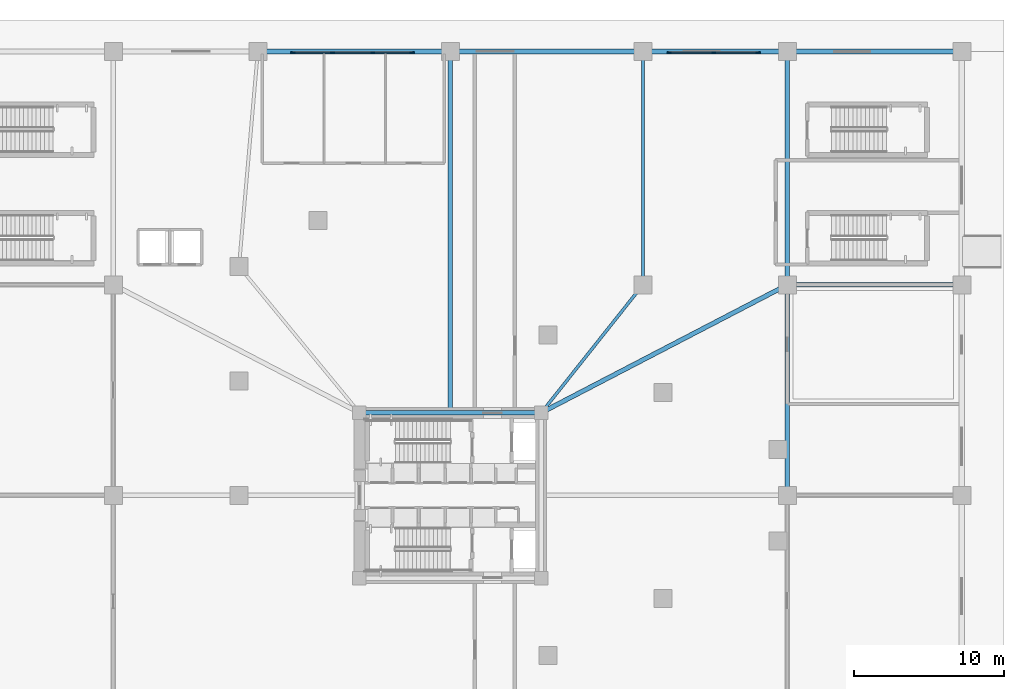
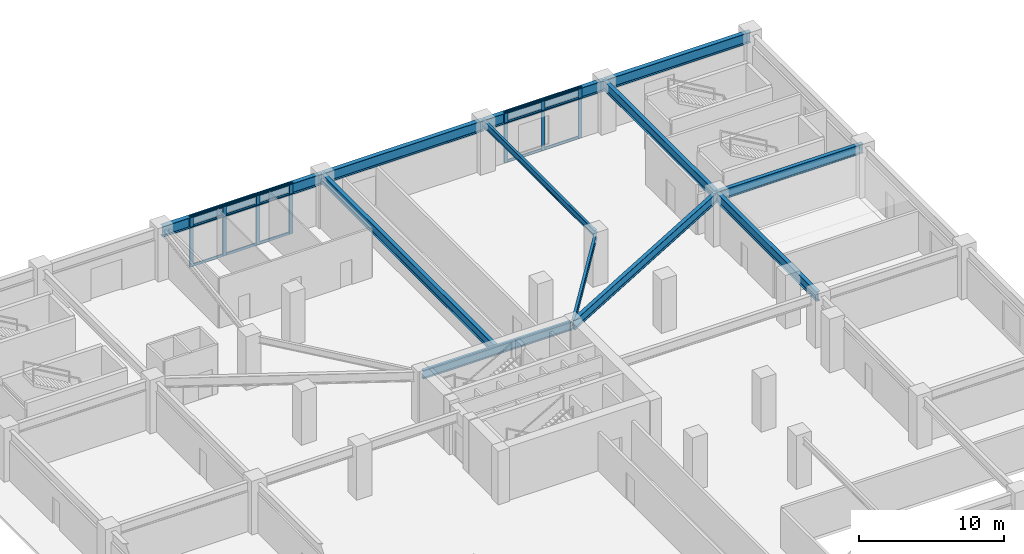
# One storey, part 2 of 18: 22 members, 12 beams, 2 elements without a shape of their own.
"""IFC4 building model written with IfcOpenShell, lengths in metres."""

import ifcopenshell
import ifcopenshell.guid

model = None  # the IFC model being written
_history = None  # IfcOwnerHistory: only IFC2X3 demands one
_inside = {}  # id of a spatial element -> (the spatial element, [elements in it])
_under = {}  # id of a project, library or spatial element -> (it, [spatial elements below it])
_declared = {}  # id of a project -> (the project, [libraries it declares])
_typed = {}  # id of a type object -> (the type object, [elements of that type])
_made_of = {}  # id of a material, layer set ... -> (it, [elements and type objects made of it])


def new_model(schema):
    """Start an empty IFC model of exactly this schema.

    Asked for "IFC4X3", IfcOpenShell would pick the latest addendum, in which some entities
    have other attributes; the version numbers below select the first issue.
    IFC2X3 requires an IfcOwnerHistory on every rooted entity: one is made here for all.
    """
    global model, _history
    if schema == "IFC4X3":
        model = ifcopenshell.file(schema_version=(4, 3, 0, 0))
    else:
        model = ifcopenshell.file(schema=schema)
    _inside.clear()
    _under.clear()
    _declared.clear()
    _typed.clear()
    _made_of.clear()
    _history = None
    if model.schema == "IFC2X3":
        org = make("IfcOrganization", Name="unknown")
        user = make(
            "IfcPersonAndOrganization",
            ThePerson=make("IfcPerson", FamilyName="unknown"),
            TheOrganization=org,
        )
        app = make(
            "IfcApplication",
            ApplicationDeveloper=org,
            Version="unknown",
            ApplicationFullName="unknown",
            ApplicationIdentifier="unknown",
        )
        _history = make(
            "IfcOwnerHistory",
            OwningUser=user,
            OwningApplication=app,
            ChangeAction="ADDED",
            CreationDate=0,
        )
    return model


def make(cls, **values):
    """One entity of the class cls with the attributes given. An attribute that is None is left unset."""
    return model.create_entity(
        cls, **{name: value for name, value in values.items() if value is not None}
    )


def rooted(cls, **values):
    """An entity with a GlobalId (a new one), such as an element, a storey or a relation."""
    return make(cls, GlobalId=ifcopenshell.guid.new(), OwnerHistory=_history, **values)


def si_unit(unit_type, name, prefix=None):
    """IfcSIUnit, for example si_unit("LENGTHUNIT", "METRE", prefix="MILLI")."""
    return make("IfcSIUnit", UnitType=unit_type, Prefix=prefix, Name=name)


def assignment(units):
    """IfcUnitAssignment: the units of a project."""
    return None if units is None else make("IfcUnitAssignment", Units=units)


def point(xyz):
    """IfcCartesianPoint."""
    return None if xyz is None else make("IfcCartesianPoint", Coordinates=xyz)


def direction(xyz):
    """IfcDirection."""
    return None if xyz is None else make("IfcDirection", DirectionRatios=xyz)


def frame(location, z_axis=None, x_axis=None):
    """IfcAxis2Placement3D, a coordinate frame: its origin and axes. An axis left out is left unset."""
    return make(
        "IfcAxis2Placement3D",
        Location=point(location),
        Axis=direction(z_axis),
        RefDirection=direction(x_axis),
    )


def frame_2d(location, x_axis=None):
    """IfcAxis2Placement2D, a coordinate frame in the plane: its origin and x axis."""
    return make(
        "IfcAxis2Placement2D", Location=point(location), RefDirection=direction(x_axis)
    )


def origin():
    """The frame at (0, 0, 0) with its axes left unset."""
    return frame((0.0, 0.0, 0.0))


def origin_2d():
    """The frame at (0, 0) in the plane with its x axis left unset."""
    return frame_2d((0.0, 0.0))


def place(relative_to, where):
    """IfcLocalPlacement: puts the frame where relative to a parent placement (None: the world)."""
    return make(
        "IfcLocalPlacement", PlacementRelTo=relative_to, RelativePlacement=where
    )


def context(
    kind, dimensions, precision=None, world=None, true_north=None, identifier=None
):
    """IfcGeometricRepresentationContext, for example the 3D "Model" context."""
    return make(
        "IfcGeometricRepresentationContext",
        ContextIdentifier=identifier,
        ContextType=kind,
        CoordinateSpaceDimension=dimensions,
        Precision=precision,
        WorldCoordinateSystem=world,
        TrueNorth=true_north,
    )


def subcontext(parent, identifier, kind, view, scale=None):
    """IfcGeometricRepresentationSubContext, for example "Body" below "Model"."""
    return make(
        "IfcGeometricRepresentationSubContext",
        ContextIdentifier=identifier,
        ContextType=kind,
        ParentContext=parent,
        TargetScale=scale,
        TargetView=view,
    )


def project(units=None, contexts=None):
    """IfcProject with its units and contexts."""
    return rooted(
        "IfcProject",
        Name="project",
        RepresentationContexts=contexts,
        UnitsInContext=assignment(units),
    )


def spatial(cls, under=None, at=None, **own):
    """A site, building, storey or space (cls), placed at a placement, below another one or the project."""
    s = rooted(cls, ObjectPlacement=at, **own)
    if under is not None:
        _under.setdefault(under.id(), (under, []))[1].append(s)
    return s


def profile(cls, at=None, kind="AREA", **sizes):
    """A parametric profile (cls). Its sizes go by their IFC names, for example OverallWidth=200.0."""
    return make(cls, ProfileType=kind, Position=at, **sizes)


def rectangle(**sizes):
    """IfcRectangleProfileDef."""
    return profile("IfcRectangleProfileDef", **sizes)


def i_section(**sizes):
    """IfcIShapeProfileDef."""
    return profile("IfcIShapeProfileDef", **sizes)


def extrude(swept, where, along, depth):
    """IfcExtrudedAreaSolid: the profile swept, set in the frame where, extruded along a direction by depth."""
    return make(
        "IfcExtrudedAreaSolid",
        SweptArea=swept,
        Position=where,
        ExtrudedDirection=direction(along),
        Depth=depth,
    )


def shape(context_of_items, identifier, shape_type, items):
    """IfcShapeRepresentation: the items that make up one representation, for example the "Body"."""
    return make(
        "IfcShapeRepresentation",
        ContextOfItems=context_of_items,
        RepresentationIdentifier=identifier,
        RepresentationType=shape_type,
        Items=items,
    )


def source(mapping_origin, context_of_items, identifier, shape_type, items):
    """IfcRepresentationMap: a shape defined once, which mapped items show again and again."""
    return make(
        "IfcRepresentationMap",
        MappingOrigin=mapping_origin,
        MappedRepresentation=shape(context_of_items, identifier, shape_type, items),
    )


def transform(
    local_origin,
    x_axis=None,
    y_axis=None,
    z_axis=None,
    scale=None,
    scale2=None,
    scale3=None,
    uniform=True,
):
    """IfcCartesianTransformationOperator3D, or its non-uniform kind. x_axis, y_axis, z_axis: its Axis1, 2, 3."""
    if uniform:
        return make(
            "IfcCartesianTransformationOperator3D",
            Axis1=direction(x_axis),
            Axis2=direction(y_axis),
            LocalOrigin=point(local_origin),
            Scale=scale,
            Axis3=direction(z_axis),
        )
    return make(
        "IfcCartesianTransformationOperator3DnonUniform",
        Axis1=direction(x_axis),
        Axis2=direction(y_axis),
        LocalOrigin=point(local_origin),
        Scale=scale,
        Axis3=direction(z_axis),
        Scale2=scale2,
        Scale3=scale3,
    )


def mapped(mapping_source, mapping_target):
    """IfcMappedItem: shows the shape of a source again, moved by a transform."""
    return make(
        "IfcMappedItem", MappingSource=mapping_source, MappingTarget=mapping_target
    )


def material(Name=None, Category=None):
    """IfcMaterial."""
    return make("IfcMaterial", Name=Name, Category=Category)


def layer(
    of_material, thickness, ventilated=None, Name=None, Category=None, Priority=None
):
    """IfcMaterialLayer: one layer of a wall or slab, of a material (None: an air gap)."""
    return make(
        "IfcMaterialLayer",
        Material=of_material,
        LayerThickness=thickness,
        IsVentilated=ventilated,
        Name=Name,
        Category=Category,
        Priority=Priority,
    )


def layer_set(layers, Name=None):
    """IfcMaterialLayerSet."""
    return make("IfcMaterialLayerSet", MaterialLayers=layers, LayerSetName=Name)


def material_profile(
    of_material, cross_section, Name=None, Category=None, Priority=None
):
    """IfcMaterialProfile: a cross section and its material."""
    return make(
        "IfcMaterialProfile",
        Name=Name,
        Material=of_material,
        Profile=cross_section,
        Priority=Priority,
        Category=Category,
    )


def profile_set(profiles, Name=None, composite=None):
    """IfcMaterialProfileSet."""
    return make(
        "IfcMaterialProfileSet",
        Name=Name,
        MaterialProfiles=profiles,
        CompositeProfile=composite,
    )


def made_of(thing, what):
    """Note that an element or type object is made of a material, layer set ...; save() writes the relation."""
    if what is not None:
        _made_of.setdefault(what.id(), (what, []))[1].append(thing)
    return thing


def type_object(cls, material=None, **own):
    """A type object (cls), such as IfcWallType, which elements share."""
    return made_of(rooted(cls, **own), material)


def element(
    cls,
    number,
    at=None,
    inside=None,
    cuts=None,
    type_object=None,
    material=None,
    context=None,
    identifier="Body",
    shape_type=None,
    held_by="IfcProductDefinitionShape",
    body=None,
    shapes=None,
    **own,
):
    """One element of the class cls, such as IfcWall. Its Tag is "e" and its number.

    at: its placement. inside: the storey or other place that contains it. cuts: it is an
    opening in that element (IfcRelVoidsElement). A single representation is given by context,
    identifier, shape_type and body (its items); several are given by shapes. held_by: the class
    of the entity that holds the representations. save() writes the other relations.
    """
    e = rooted(cls, Tag="e%d" % number, ObjectPlacement=at, **own)
    if body is not None:
        shapes = [shape(context, identifier, shape_type, body)]
    if shapes is not None:
        e.Representation = make(held_by, Representations=shapes)
    if inside is not None:
        _inside.setdefault(inside.id(), (inside, []))[1].append(e)
    if cuts is not None:
        rooted(
            "IfcRelVoidsElement", RelatingBuildingElement=cuts, RelatedOpeningElement=e
        )
    if type_object is not None:
        _typed.setdefault(type_object.id(), (type_object, []))[1].append(e)
    return made_of(e, material)


def aggregate(whole, parts):
    """IfcRelAggregates: a whole, such as a stair, and the parts it consists of."""
    return rooted("IfcRelAggregates", RelatingObject=whole, RelatedObjects=parts)


def save(model, path):
    """Write the relations noted so far, then the file.

    IfcRelAggregates (storeys below a building ...), IfcRelContainedInSpatialStructure (elements
    in a storey), IfcRelDefinesByType, IfcRelAssociatesMaterial and IfcRelDeclares: one each for
    every whole, place, type object, material and project.
    """
    for whole, parts in _under.values():
        aggregate(whole, parts)
    for where, things in _inside.values():
        rooted(
            "IfcRelContainedInSpatialStructure",
            RelatedElements=things,
            RelatingStructure=where,
        )
    for kind, things in _typed.values():
        rooted("IfcRelDefinesByType", RelatedObjects=things, RelatingType=kind)
    for what, things in _made_of.values():
        rooted("IfcRelAssociatesMaterial", RelatedObjects=things, RelatingMaterial=what)
    for by, libraries in _declared.values():
        rooted("IfcRelDeclares", RelatingContext=by, RelatedDefinitions=libraries)
    model.write(path)


model = new_model("IFC4")

# Units and contexts
model_context = context("Model", 3, precision=1e-05, world=origin(), true_north=direction((0.0, 1.0)))
body_context = subcontext(model_context, "Body", "Model", "MODEL_VIEW")
ifc_project = project(units=[si_unit("LENGTHUNIT", "METRE"), si_unit("AREAUNIT", "SQUARE_METRE"), si_unit("VOLUMEUNIT", "CUBIC_METRE"), si_unit("PLANEANGLEUNIT", "RADIAN"), si_unit("MASSUNIT", "GRAM", prefix="KILO")], contexts=[model_context])

# Site, building, storey
site_placement = place(None, origin())
site = spatial("IfcSite", under=ifc_project, at=site_placement, CompositionType="ELEMENT")
building_placement = place(site_placement, origin())
building = spatial("IfcBuilding", under=site, at=building_placement, Name="Yunling Apex Tower", CompositionType="ELEMENT")
storey_placement = place(building_placement, origin())
storey = spatial("IfcBuildingStorey", under=building, at=storey_placement, Name="L01", CompositionType="ELEMENT", Elevation=0.0)

# Beams
ifc_material_1 = material(Name="Steel Q355B", Category="steel")
ifc_material_profile_1 = material_profile(ifc_material_1, i_section(OverallWidth=0.300048828125, OverallDepth=0.699951171875, WebThickness=0.012939453125, FlangeThickness=0.02392578125, FilletRadius=0.02587890625, at=origin_2d()))
ifc_profile_set_1 = profile_set([ifc_material_profile_1], Name="Steel Q355B")
beam_type_1 = type_object("IfcBeamType", Name="BG-PRI-3", PredefinedType="USERDEFINED", material=ifc_profile_set_1)
shared_shape_1 = source(origin(), body_context, "Body", "SweptSolid", [
    extrude(i_section(OverallWidth=0.300048828125, OverallDepth=0.699951171875, WebThickness=0.012939453125, FlangeThickness=0.02392578125, FilletRadius=0.02587890625, at=origin_2d()), origin(), (0.0, 0.0, 1.0), 11.7998046875),
])
beam_1_placement = place(storey_placement, frame((5.89990234375, 5.5, 3.840087890625), z_axis=(-1.0, 0.0, 0.0), x_axis=(0.0, -1.0, 0.0)))
element("IfcBeam", 1, at=beam_1_placement, inside=storey, type_object=beam_type_1, Name="L01 Core Ring Tie Beam 3", ObjectType="GIRDER", PredefinedType="USERDEFINED", context=body_context, shape_type="MappedRepresentation", body=[
    mapped(shared_shape_1, transform((0.0, 0.0, 0.0), scale=1.0)),
])
ifc_material_profile_2 = material_profile(ifc_material_1, i_section(OverallWidth=0.35009765625, OverallDepth=0.89990234375, WebThickness=0.01806640625, FlangeThickness=0.028076171875, FilletRadius=0.02392578125, at=origin_2d()))
ifc_profile_set_2 = profile_set([ifc_material_profile_2], Name="Steel Q355B")
beam_type_2 = type_object("IfcBeamType", Name="BG-PRI-1", PredefinedType="USERDEFINED", material=ifc_profile_set_2)
shared_shape_2 = source(origin(), body_context, "Body", "SweptSolid", [
    extrude(i_section(OverallWidth=0.35009765625, OverallDepth=0.89990234375, WebThickness=0.01806640625, FlangeThickness=0.028076171875, FilletRadius=0.02392578125, at=origin_2d()), origin(), (0.0, 0.0, 1.0), 11.52001953125),
])
beam_2_placement = place(storey_placement, frame((22.43994140625, 29.5, 3.739990234375), z_axis=(1.0, 0.0, 0.0), x_axis=(0.0, 1.0, 0.0)))
element("IfcBeam", 2, at=beam_2_placement, inside=storey, type_object=beam_type_2, Name="L01 Podium Edge Girder 12", ObjectType="GIRDER", PredefinedType="USERDEFINED", context=body_context, shape_type="MappedRepresentation", body=[
    mapped(shared_shape_2, transform((0.0, 0.0, 0.0), scale=1.0)),
])
shared_shape_3 = source(origin(), body_context, "Body", "SweptSolid", [
    extrude(i_section(OverallWidth=0.35009765625, OverallDepth=0.89990234375, WebThickness=0.01806640625, FlangeThickness=0.028076171875, FilletRadius=0.02392578125, at=origin_2d()), origin(), (0.0, 0.0, 1.0), 9.52001953125),
])
beam_3_placement = place(storey_placement, frame((12.840087890625, 29.5, 3.739990234375), z_axis=(1.0, 0.0, 0.0), x_axis=(0.0, 1.0, 0.0)))
element("IfcBeam", 3, at=beam_3_placement, inside=storey, type_object=beam_type_2, Name="L01 Podium Edge Girder 11", ObjectType="GIRDER", PredefinedType="USERDEFINED", context=body_context, shape_type="MappedRepresentation", body=[
    mapped(shared_shape_3, transform((0.0, 0.0, 0.0), scale=1.0)),
])
shared_shape_4 = source(origin(), body_context, "Body", "SweptSolid", [
    extrude(i_section(OverallWidth=0.35009765625, OverallDepth=0.89990234375, WebThickness=0.01806640625, FlangeThickness=0.028076171875, FilletRadius=0.02392578125, at=origin_2d()), origin(), (0.0, 0.0, 1.0), 12.719970703125),
])
for number, where, z_axis, x_axis, name in (
    (4, (-12.760009765625, 29.5, 3.739990234375), (1.0, 0.0, 0.0), (0.0, 1.0, 0.0), "L01 Podium Edge Girder 9"),
    (5, (0.0400390625, 29.5, 3.739990234375), (1.0, 0.0, 0.0), (0.0, 1.0, 0.0), "L01 Podium Edge Girder 10"),
):
    element("IfcBeam", number, at=place(storey_placement, frame(where, z_axis=z_axis, x_axis=x_axis)), inside=storey, type_object=beam_type_2, Name=name, ObjectType="GIRDER", PredefinedType="USERDEFINED", context=body_context, shape_type="MappedRepresentation", body=[
        mapped(shared_shape_4, transform((0.0, 0.0, 0.0), scale=1.0)),
    ])
ifc_material_profile_3 = material_profile(ifc_material_1, i_section(OverallWidth=0.300048828125, OverallDepth=0.800048828125, WebThickness=0.013916015625, FlangeThickness=0.02587890625, FilletRadius=0.028076171875, at=origin_2d()))
ifc_profile_set_3 = profile_set([ifc_material_profile_3], Name="Steel Q355B")
beam_type_3 = type_object("IfcBeamType", Name="BG-PRI-2", PredefinedType="USERDEFINED", material=ifc_profile_set_3)
shared_shape_5 = source(origin(), body_context, "Body", "SweptSolid", [
    extrude(i_section(OverallWidth=0.300048828125, OverallDepth=0.800048828125, WebThickness=0.013916015625, FlangeThickness=0.02587890625, FilletRadius=0.028076171875, at=origin_2d()), origin(), (0.0, 0.0, 1.0), 11.52001953125),
])
beam_4_placement = place(storey_placement, frame((22.43994140625, 14.0, 3.7900390625), z_axis=(1.0, 0.0, 0.0), x_axis=(0.0, 1.0, 0.0)))
element("IfcBeam", 6, at=beam_4_placement, inside=storey, type_object=beam_type_3, Name="L01 Podium Primary Girder 4", ObjectType="GIRDER", PredefinedType="USERDEFINED", context=body_context, shape_type="MappedRepresentation", body=[
    mapped(shared_shape_5, transform((0.0, 0.0, 0.0), scale=1.0)),
])
shared_shape_6 = source(origin(), body_context, "Body", "SweptSolid", [
    extrude(i_section(OverallWidth=0.300048828125, OverallDepth=0.800048828125, WebThickness=0.013916015625, FlangeThickness=0.02587890625, FilletRadius=0.028076171875, at=origin_2d()), origin(), (0.0, 0.0, 1.0), 18.347412109375),
])
beam_5_placement = place(storey_placement, frame((6.08544921875, 5.5185546875, 3.7900390625), z_axis=(0.887266251523, 0.461257627481, 0.0), x_axis=(-0.461257627481, 0.887266251523, 0.0)))
element("IfcBeam", 7, at=beam_5_placement, inside=storey, type_object=beam_type_3, Name="L01 Podium Primary Girder 3", ObjectType="GIRDER", PredefinedType="USERDEFINED", context=body_context, shape_type="MappedRepresentation", body=[
    mapped(shared_shape_6, transform((0.0, 0.0, 0.0), scale=1.0)),
])
shared_shape_7 = source(origin(), body_context, "Body", "SweptSolid", [
    extrude(i_section(OverallWidth=0.300048828125, OverallDepth=0.800048828125, WebThickness=0.013916015625, FlangeThickness=0.02587890625, FilletRadius=0.028076171875, at=origin_2d()), origin(), (0.0, 0.0, 1.0), 15.419921875),
])
beam_6_placement = place(storey_placement, frame((22.39990234375, 29.4599609375, 3.7900390625), z_axis=(0.0, -1.0, 0.0), x_axis=(1.0, 0.0, 0.0)))
element("IfcBeam", 8, at=beam_6_placement, inside=storey, type_object=beam_type_3, Name="L01 Podium Primary Girder 17", ObjectType="GIRDER", PredefinedType="USERDEFINED", context=body_context, shape_type="MappedRepresentation", body=[
    mapped(shared_shape_7, transform((0.0, 0.0, 0.0), scale=1.0)),
])
shared_shape_8 = source(origin(), body_context, "Body", "SweptSolid", [
    extrude(i_section(OverallWidth=0.300048828125, OverallDepth=0.800048828125, WebThickness=0.013916015625, FlangeThickness=0.02587890625, FilletRadius=0.028076171875, at=origin_2d()), origin(), (0.0, 0.0, 1.0), 13.919921875),
])
beam_7_placement = place(storey_placement, frame((22.39990234375, 13.9599609375, 3.7900390625), z_axis=(0.0, -1.0, 0.0), x_axis=(1.0, 0.0, 0.0)))
element("IfcBeam", 9, at=beam_7_placement, inside=storey, type_object=beam_type_3, Name="L01 Podium Primary Girder 18", ObjectType="GIRDER", PredefinedType="USERDEFINED", context=body_context, shape_type="MappedRepresentation", body=[
    mapped(shared_shape_8, transform((0.0, 0.0, 0.0), scale=1.0)),
])
shared_shape_9 = source(origin(), body_context, "Body", "SweptSolid", [
    extrude(i_section(OverallWidth=0.300048828125, OverallDepth=0.800048828125, WebThickness=0.013916015625, FlangeThickness=0.02587890625, FilletRadius=0.028076171875, at=origin_2d()), origin(), (0.0, 0.0, 1.0), 23.869873046875),
])
beam_8_placement = place(storey_placement, frame((0.0, 29.4599609375, 3.7900390625), z_axis=(0.0, -1.0, 0.0), x_axis=(1.0, 0.0, 0.0)))
element("IfcBeam", 10, at=beam_8_placement, inside=storey, type_object=beam_type_3, Name="L01 Podium Primary Girder 21", ObjectType="GIRDER", PredefinedType="USERDEFINED", context=body_context, shape_type="MappedRepresentation", body=[
    mapped(shared_shape_9, transform((0.0, 0.0, 0.0), scale=1.0)),
])
ifc_material_profile_4 = material_profile(ifc_material_1, i_section(OverallWidth=0.199951171875, OverallDepth=0.550048828125, WebThickness=0.010009765625, FlangeThickness=0.01611328125, FilletRadius=0.02001953125, at=origin_2d()))
ifc_profile_set_4 = profile_set([ifc_material_profile_4], Name="Steel Q355B")
beam_type_4 = type_object("IfcBeamType", Name="BS-SEC-1", PredefinedType="BEAM", material=ifc_profile_set_4)
shared_shape_10 = source(origin(), body_context, "Body", "SweptSolid", [
    extrude(i_section(OverallWidth=0.199951171875, OverallDepth=0.550048828125, WebThickness=0.010009765625, FlangeThickness=0.01611328125, FilletRadius=0.02001953125, at=origin_2d()), origin(), (0.0, 0.0, 1.0), 15.419921875),
])
beam_9_placement = place(storey_placement, frame((12.800048828125, 29.4599609375, 3.9150390625), z_axis=(0.0, -1.0, 0.0), x_axis=(1.0, 0.0, 0.0)))
element("IfcBeam", 11, at=beam_9_placement, inside=storey, type_object=beam_type_4, Name="L01 Podium Secondary Beam 3", PredefinedType="BEAM", context=body_context, shape_type="MappedRepresentation", body=[
    mapped(shared_shape_10, transform((0.0, 0.0, 0.0), scale=1.0)),
])
shared_shape_11 = source(origin(), body_context, "Body", "SweptSolid", [
    extrude(i_section(OverallWidth=0.199951171875, OverallDepth=0.550048828125, WebThickness=0.010009765625, FlangeThickness=0.01611328125, FilletRadius=0.02001953125, at=origin_2d()), origin(), (0.0, 0.0, 1.0), 10.774169921875),
])
beam_10_placement = place(storey_placement, frame((12.775146484375, 13.96875, 3.9150390625), z_axis=(-0.621872334374, -0.783118637078, 0.0), x_axis=(0.783118637078, -0.621872334374, 0.0)))
element("IfcBeam", 12, at=beam_10_placement, inside=storey, type_object=beam_type_4, Name="L01 Podium Secondary Beam 4", PredefinedType="BEAM", context=body_context, shape_type="MappedRepresentation", body=[
    mapped(shared_shape_11, transform((0.0, 0.0, 0.0), scale=1.0)),
])

# Curtain wall, members
ifc_material_2 = material(Name="Bronze anodised aluminium", Category="aluminium")
ifc_layer = layer(ifc_material_2, 0.280029296875)
ifc_layer_set = layer_set([ifc_layer], Name="Bronze anodised aluminium")
curtain_wall_type = type_object("IfcCurtainWallType", Name="CW-SYS-1", PredefinedType="NOTDEFINED", material=ifc_layer_set)
curtain_wall_1_placement = place(storey_placement, origin())
curtain_wall_1 = element("IfcCurtainWall", 13, at=curtain_wall_1_placement, inside=storey, type_object=curtain_wall_type, Name="CW-POD-L01-1", PredefinedType="NOTDEFINED")
ifc_material_profile_5 = material_profile(ifc_material_2, rectangle(XDim=0.090087890625, YDim=0.280029296875, at=origin_2d()))
ifc_profile_set_5 = profile_set([ifc_material_profile_5], Name="Bronze anodised aluminium")
member_type_1 = type_object("IfcMemberType", Name="CW-MUL-1", PredefinedType="MULLION", material=ifc_profile_set_5)
shared_shape_12 = source(origin(), body_context, "Body", "SweptSolid", [
    extrude(rectangle(XDim=0.090087890625, YDim=0.280029296875, at=origin_2d()), origin(), (0.0, 0.0, 1.0), 4.2900390625),
])
member_1_placement = place(storey_placement, frame((-10.455078125, 29.449951171875, -0.050048828125), z_axis=(0.0, 0.0, 1.0), x_axis=(0.0, 1.0, 0.0)))
member_1 = element("IfcMember", 14, at=member_1_placement, type_object=member_type_1, Name="CW-SYS-1 mullion 1", PredefinedType="MULLION", context=body_context, shape_type="MappedRepresentation", body=[
    mapped(shared_shape_12, transform((0.0, 0.0, 0.0), scale=1.0)),
])
member_2_placement = place(storey_placement, frame((-7.833251953125, 29.449951171875, -0.050048828125), z_axis=(0.0, 0.0, 1.0), x_axis=(0.0, 1.0, 0.0)))
member_2 = element("IfcMember", 15, at=member_2_placement, type_object=member_type_1, Name="CW-SYS-1 mullion 2", PredefinedType="MULLION", context=body_context, shape_type="MappedRepresentation", body=[
    mapped(shared_shape_12, transform((0.0, 0.0, 0.0), scale=1.0)),
])
member_3_placement = place(storey_placement, frame((-5.166748046875, 29.449951171875, -0.050048828125), z_axis=(0.0, 0.0, 1.0), x_axis=(0.0, 1.0, 0.0)))
member_3 = element("IfcMember", 16, at=member_3_placement, type_object=member_type_1, Name="CW-SYS-1 mullion 3", PredefinedType="MULLION", context=body_context, shape_type="MappedRepresentation", body=[
    mapped(shared_shape_12, transform((0.0, 0.0, 0.0), scale=1.0)),
])
member_4_placement = place(storey_placement, frame((-2.544921875, 29.449951171875, -0.050048828125), z_axis=(0.0, 0.0, 1.0), x_axis=(0.0, 1.0, 0.0)))
member_4 = element("IfcMember", 17, at=member_4_placement, type_object=member_type_1, Name="CW-SYS-1 mullion 4", PredefinedType="MULLION", context=body_context, shape_type="MappedRepresentation", body=[
    mapped(shared_shape_12, transform((0.0, 0.0, 0.0), scale=1.0)),
])

curtain_wall_2_placement = place(storey_placement, origin())
curtain_wall_2 = element("IfcCurtainWall", 18, at=curtain_wall_2_placement, inside=storey, type_object=curtain_wall_type, Name="CW-POD-L01-2", PredefinedType="NOTDEFINED")
member_5_placement = place(storey_placement, frame((14.544921875, 29.449951171875, -0.050048828125), z_axis=(0.0, 0.0, 1.0), x_axis=(0.0, 1.0, 0.0)))
member_5 = element("IfcMember", 19, at=member_5_placement, type_object=member_type_1, Name="CW-SYS-1 mullion 1", PredefinedType="MULLION", context=body_context, shape_type="MappedRepresentation", body=[
    mapped(shared_shape_12, transform((0.0, 0.0, 0.0), scale=1.0)),
])
member_6_placement = place(storey_placement, frame((17.5, 29.449951171875, -0.050048828125), z_axis=(0.0, 0.0, 1.0), x_axis=(0.0, 1.0, 0.0)))
member_6 = element("IfcMember", 20, at=member_6_placement, type_object=member_type_1, Name="CW-SYS-1 mullion 2", PredefinedType="MULLION", context=body_context, shape_type="MappedRepresentation", body=[
    mapped(shared_shape_12, transform((0.0, 0.0, 0.0), scale=1.0)),
])
member_7_placement = place(storey_placement, frame((20.455078125, 29.449951171875, -0.050048828125), z_axis=(0.0, 0.0, 1.0), x_axis=(0.0, 1.0, 0.0)))
member_7 = element("IfcMember", 21, at=member_7_placement, type_object=member_type_1, Name="CW-SYS-1 mullion 3", PredefinedType="MULLION", context=body_context, shape_type="MappedRepresentation", body=[
    mapped(shared_shape_12, transform((0.0, 0.0, 0.0), scale=1.0)),
])

# Member
ifc_material_profile_6 = material_profile(ifc_material_2, rectangle(XDim=0.090087890625, YDim=0.215087890625, at=origin_2d()))
ifc_profile_set_6 = profile_set([ifc_material_profile_6], Name="Bronze anodised aluminium")
member_type_2 = type_object("IfcMemberType", Name="CW-TRN-1", PredefinedType="USERDEFINED", material=ifc_profile_set_6)
shared_shape_13 = source(origin(), body_context, "Body", "SweptSolid", [
    extrude(rectangle(XDim=0.090087890625, YDim=0.215087890625, at=origin_2d()), origin(), (0.0, 0.0, 1.0), 2.540771484375),
])
member_8_placement = place(storey_placement, frame((-10.41455078125, 29.449951171875, 0.044921875), z_axis=(1.0, 0.0, 0.0), x_axis=(0.0, 1.0, 0.0)))
member_8 = element("IfcMember", 22, at=member_8_placement, type_object=member_type_2, Name="CW-SYS-1 transom 1.1", ObjectType="TRANSOM", PredefinedType="USERDEFINED", context=body_context, shape_type="MappedRepresentation", body=[
    mapped(shared_shape_13, transform((0.0, 0.0, 0.0), scale=1.0)),
])

member_9_placement = place(storey_placement, frame((-10.41455078125, 29.449951171875, 3.340087890625), z_axis=(1.0, 0.0, 0.0), x_axis=(0.0, 1.0, 0.0)))
member_9 = element("IfcMember", 23, at=member_9_placement, type_object=member_type_2, Name="CW-SYS-1 transom 1.2", ObjectType="TRANSOM", PredefinedType="USERDEFINED", context=body_context, shape_type="MappedRepresentation", body=[
    mapped(shared_shape_13, transform((0.0, 0.0, 0.0), scale=1.0)),
])

member_10_placement = place(storey_placement, frame((-10.41455078125, 29.449951171875, 4.14501953125), z_axis=(1.0, 0.0, 0.0), x_axis=(0.0, 1.0, 0.0)))
member_10 = element("IfcMember", 24, at=member_10_placement, type_object=member_type_2, Name="CW-SYS-1 transom 1.3", ObjectType="TRANSOM", PredefinedType="USERDEFINED", context=body_context, shape_type="MappedRepresentation", body=[
    mapped(shared_shape_13, transform((0.0, 0.0, 0.0), scale=1.0)),
])

member_11_placement = place(storey_placement, frame((-5.126220703125, 29.449951171875, 0.044921875), z_axis=(1.0, 0.0, 0.0), x_axis=(0.0, 1.0, 0.0)))
member_11 = element("IfcMember", 25, at=member_11_placement, type_object=member_type_2, Name="CW-SYS-1 transom 3.1", ObjectType="TRANSOM", PredefinedType="USERDEFINED", context=body_context, shape_type="MappedRepresentation", body=[
    mapped(shared_shape_13, transform((0.0, 0.0, 0.0), scale=1.0)),
])

member_12_placement = place(storey_placement, frame((-5.126220703125, 29.449951171875, 3.340087890625), z_axis=(1.0, 0.0, 0.0), x_axis=(0.0, 1.0, 0.0)))
member_12 = element("IfcMember", 26, at=member_12_placement, type_object=member_type_2, Name="CW-SYS-1 transom 3.2", ObjectType="TRANSOM", PredefinedType="USERDEFINED", context=body_context, shape_type="MappedRepresentation", body=[
    mapped(shared_shape_13, transform((0.0, 0.0, 0.0), scale=1.0)),
])

member_13_placement = place(storey_placement, frame((-5.126220703125, 29.449951171875, 4.14501953125), z_axis=(1.0, 0.0, 0.0), x_axis=(0.0, 1.0, 0.0)))
member_13 = element("IfcMember", 27, at=member_13_placement, type_object=member_type_2, Name="CW-SYS-1 transom 3.3", ObjectType="TRANSOM", PredefinedType="USERDEFINED", context=body_context, shape_type="MappedRepresentation", body=[
    mapped(shared_shape_13, transform((0.0, 0.0, 0.0), scale=1.0)),
])

shared_shape_14 = source(origin(), body_context, "Body", "SweptSolid", [
    extrude(rectangle(XDim=0.090087890625, YDim=0.215087890625, at=origin_2d()), origin(), (0.0, 0.0, 1.0), 2.58544921875),
])
member_14_placement = place(storey_placement, frame((-7.792724609375, 29.449951171875, 0.044921875), z_axis=(1.0, 0.0, 0.0), x_axis=(0.0, 1.0, 0.0)))
member_14 = element("IfcMember", 28, at=member_14_placement, type_object=member_type_2, Name="CW-SYS-1 transom 2.1", ObjectType="TRANSOM", PredefinedType="USERDEFINED", context=body_context, shape_type="MappedRepresentation", body=[
    mapped(shared_shape_14, transform((0.0, 0.0, 0.0), scale=1.0)),
])

member_15_placement = place(storey_placement, frame((-7.792724609375, 29.449951171875, 3.340087890625), z_axis=(1.0, 0.0, 0.0), x_axis=(0.0, 1.0, 0.0)))
member_15 = element("IfcMember", 29, at=member_15_placement, type_object=member_type_2, Name="CW-SYS-1 transom 2.2", ObjectType="TRANSOM", PredefinedType="USERDEFINED", context=body_context, shape_type="MappedRepresentation", body=[
    mapped(shared_shape_14, transform((0.0, 0.0, 0.0), scale=1.0)),
])

member_16_placement = place(storey_placement, frame((-7.792724609375, 29.449951171875, 4.14501953125), z_axis=(1.0, 0.0, 0.0), x_axis=(0.0, 1.0, 0.0)))
member_16 = element("IfcMember", 30, at=member_16_placement, type_object=member_type_2, Name="CW-SYS-1 transom 2.3", ObjectType="TRANSOM", PredefinedType="USERDEFINED", context=body_context, shape_type="MappedRepresentation", body=[
    mapped(shared_shape_14, transform((0.0, 0.0, 0.0), scale=1.0)),
])

aggregate(curtain_wall_1, [member_1, member_2, member_3, member_4, member_8, member_9, member_10, member_14, member_15, member_16, member_11, member_12, member_13])

shared_shape_15 = source(origin(), body_context, "Body", "SweptSolid", [
    extrude(rectangle(XDim=0.090087890625, YDim=0.215087890625, at=origin_2d()), origin(), (0.0, 0.0, 1.0), 2.8740234375),
])
member_17_placement = place(storey_placement, frame((14.58544921875, 29.449951171875, 0.044921875), z_axis=(1.0, 0.0, 0.0), x_axis=(0.0, 1.0, 0.0)))
member_17 = element("IfcMember", 31, at=member_17_placement, type_object=member_type_2, Name="CW-SYS-1 transom 1.1", ObjectType="TRANSOM", PredefinedType="USERDEFINED", context=body_context, shape_type="MappedRepresentation", body=[
    mapped(shared_shape_15, transform((0.0, 0.0, 0.0), scale=1.0)),
])

member_18_placement = place(storey_placement, frame((14.58544921875, 29.449951171875, 3.340087890625), z_axis=(1.0, 0.0, 0.0), x_axis=(0.0, 1.0, 0.0)))
member_18 = element("IfcMember", 32, at=member_18_placement, type_object=member_type_2, Name="CW-SYS-1 transom 1.2", ObjectType="TRANSOM", PredefinedType="USERDEFINED", context=body_context, shape_type="MappedRepresentation", body=[
    mapped(shared_shape_15, transform((0.0, 0.0, 0.0), scale=1.0)),
])

member_19_placement = place(storey_placement, frame((14.58544921875, 29.449951171875, 4.14501953125), z_axis=(1.0, 0.0, 0.0), x_axis=(0.0, 1.0, 0.0)))
member_19 = element("IfcMember", 33, at=member_19_placement, type_object=member_type_2, Name="CW-SYS-1 transom 1.3", ObjectType="TRANSOM", PredefinedType="USERDEFINED", context=body_context, shape_type="MappedRepresentation", body=[
    mapped(shared_shape_15, transform((0.0, 0.0, 0.0), scale=1.0)),
])

member_20_placement = place(storey_placement, frame((17.54052734375, 29.449951171875, 0.044921875), z_axis=(1.0, 0.0, 0.0), x_axis=(0.0, 1.0, 0.0)))
member_20 = element("IfcMember", 34, at=member_20_placement, type_object=member_type_2, Name="CW-SYS-1 transom 2.1", ObjectType="TRANSOM", PredefinedType="USERDEFINED", context=body_context, shape_type="MappedRepresentation", body=[
    mapped(shared_shape_15, transform((0.0, 0.0, 0.0), scale=1.0)),
])

member_21_placement = place(storey_placement, frame((17.54052734375, 29.449951171875, 3.340087890625), z_axis=(1.0, 0.0, 0.0), x_axis=(0.0, 1.0, 0.0)))
member_21 = element("IfcMember", 35, at=member_21_placement, type_object=member_type_2, Name="CW-SYS-1 transom 2.2", ObjectType="TRANSOM", PredefinedType="USERDEFINED", context=body_context, shape_type="MappedRepresentation", body=[
    mapped(shared_shape_15, transform((0.0, 0.0, 0.0), scale=1.0)),
])

member_22_placement = place(storey_placement, frame((17.54052734375, 29.449951171875, 4.14501953125), z_axis=(1.0, 0.0, 0.0), x_axis=(0.0, 1.0, 0.0)))
member_22 = element("IfcMember", 36, at=member_22_placement, type_object=member_type_2, Name="CW-SYS-1 transom 2.3", ObjectType="TRANSOM", PredefinedType="USERDEFINED", context=body_context, shape_type="MappedRepresentation", body=[
    mapped(shared_shape_15, transform((0.0, 0.0, 0.0), scale=1.0)),
])

aggregate(curtain_wall_2, [member_5, member_6, member_7, member_17, member_18, member_19, member_20, member_21, member_22])

save(model, "model.ifc")
